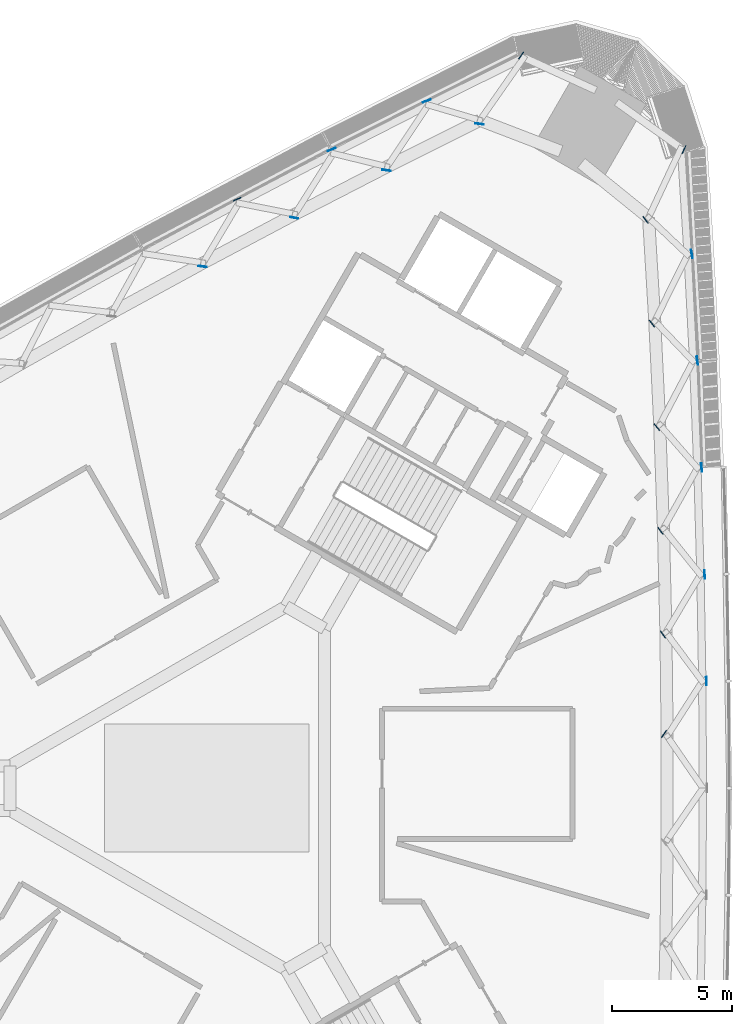
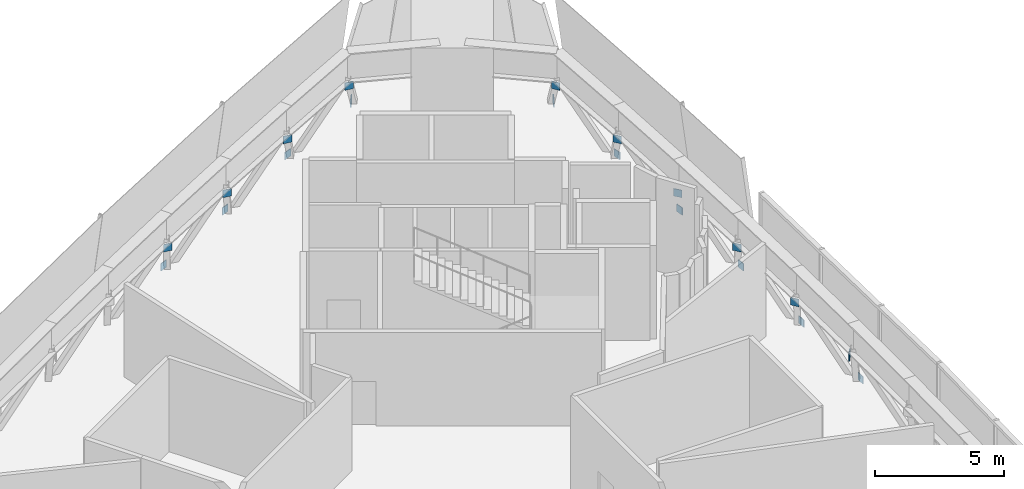
# One storey, part 9 of 17: 20 plates.
"""IFC4 building model written with IfcOpenShell, lengths in metres."""

from ifc_helpers import new_model, si_unit, direction, frame, origin, origin_2d, place, context, subcontext, project, spatial, rectangle, extrude, material, layer, layer_set, type_object, element, save


model = new_model("IFC4")

# Units and contexts
model_context = context("Model", 3, precision=1e-05, world=origin(), true_north=direction((0.0, 1.0)))
body_context = subcontext(model_context, "Body", "Model", "MODEL_VIEW")
ifc_project = project(units=[si_unit("LENGTHUNIT", "METRE"), si_unit("AREAUNIT", "SQUARE_METRE"), si_unit("VOLUMEUNIT", "CUBIC_METRE"), si_unit("PLANEANGLEUNIT", "RADIAN"), si_unit("MASSUNIT", "GRAM", prefix="KILO")], contexts=[model_context])

# Site, building, storey
site_placement = place(None, origin())
site = spatial("IfcSite", under=ifc_project, at=site_placement, CompositionType="ELEMENT")
building_placement = place(site_placement, origin())
building = spatial("IfcBuilding", under=site, at=building_placement, Name="Tamra Quay Hotel Tower", CompositionType="ELEMENT")
storey_placement = place(building_placement, frame((0.0, 0.0, 119.0)))
storey = spatial("IfcBuildingStorey", under=building, at=storey_placement, Name="L29", CompositionType="ELEMENT", Elevation=119.0)

# Plates
ifc_material = material(Name="Structural steel IS 2062 E350", Category="steel")
ifc_layer = layer(ifc_material, 0.030029296875)
ifc_layer_set = layer_set([ifc_layer], Name="BRACE END PLATE 30")
plate_type = type_object("IfcPlateType", Name="BRACE END PLATE 30", PredefinedType="SHEET", material=ifc_layer_set)
for number, where, z_axis, x_axis, name in (
    (1, (20.80908203125, 4.450927734375, -0.400146484375), (0.0, 0.0, 1.0), (0.999402103825, 0.034575061385, 0.0), "BEP-L29-008"),
    (2, (20.7333984375, 8.901123046875, -0.400146484375), (0.0, 0.0, 1.0), (0.997599108535, 0.069253293431, 0.0), "BEP-L29-009"),
    (3, (20.6064453125, 13.350341796875, -0.400146484375), (0.0, 0.0, 1.0), (0.994551046444, 0.104250736291, 0.0), "BEP-L29-010"),
    (4, (20.428955078125, 17.798095703125, -0.400146484375), (0.0, 0.0, 1.0), (0.990221132304, 0.139506663417, 0.0), "BEP-L29-011"),
    (5, (20.200439453125, 22.243408203125, -0.400146484375), (0.0, 0.0, 1.0), (0.984536524081, 0.17517943016, 0.0), "BEP-L29-012"),
    (6, (19.873291015625, 26.58935546875, -0.400146484375), (0.0, 0.0, 1.0), (-0.906149875709, 0.42295673863, 0.0), "BEP-L29-013"),
    (7, (13.090576171875, 30.50537109375, -0.400146484375), (0.0, 0.0, 1.0), (-0.819372221439, 0.573261862271, 0.0), "BEP-L29-014"),
    (8, (9.1630859375, 28.615966796875, -0.400146484375), (0.0, 0.0, 1.0), (-0.340555143301, 0.940224544655, 0.0), "BEP-L29-015"),
    (9, (5.19921875, 26.5908203125, -0.400146484375), (0.0, 0.0, 1.0), (-0.374282922379, 0.927314560446, 0.0), "BEP-L29-016"),
    (10, (1.258544921875, 24.52099609375, -0.400146484375), (0.0, 0.0, 1.0), (-0.406991737231, 0.913431839726, 0.0), "BEP-L29-017"),
    (11, (19.038330078125, 2.25390625, 2.64990234375), (0.0, 0.0, 1.0), (-0.818696294766, 0.574226764385, 0.0), "BEP-L29-046"),
    (12, (18.993896484375, 6.393310546875, 2.64990234375), (0.0, 0.0, 1.0), (0.810421156761, 0.585847717989, 0.0), "BEP-L29-047"),
    (13, (18.89501953125, 10.711181640625, 2.64990234375), (0.0, 0.0, 1.0), (0.790257694846, 0.612774653307, 0.0), "BEP-L29-048"),
    (14, (18.74462890625, 15.027587890625, 2.64990234375), (0.0, 0.0, 1.0), (0.768926643711, 0.639337013313, 0.0), "BEP-L29-049"),
    (15, (18.534912109375, 19.346435546875, 2.64990234375), (0.0, 0.0, 1.0), (0.780220842698, 0.625504145965, 0.0), "BEP-L29-050"),
    (16, (18.274169921875, 23.662353515625, 2.64990234375), (0.0, 0.0, 1.0), (0.790794277209, 0.612082029743, 0.0), "BEP-L29-051"),
    (17, (11.35498046875, 27.656982421875, 2.64990234375), (0.0, 0.0, 1.0), (0.134686636633, 0.990888242897, 0.0), "BEP-L29-052"),
    (18, (7.487060546875, 25.72509765625, 2.64990234375), (0.0, 0.0, 1.0), (0.151592059229, 0.988443143321, 0.0), "BEP-L29-053"),
    (19, (3.64208984375, 23.747314453125, 2.64990234375), (0.0, 0.0, 1.0), (0.169223933728, 0.985577627716, 0.0), "BEP-L29-054"),
    (20, (-0.17138671875, 21.718994140625, 2.64990234375), (0.0, 0.0, 1.0), (0.135551298357, 0.990770329347, 0.0), "BEP-L29-055"),
):
    element("IfcPlate", number, at=place(storey_placement, frame(where, z_axis=z_axis, x_axis=x_axis)), inside=storey, type_object=plate_type, Name=name, PredefinedType="SHEET", context=body_context, shape_type="SweptSolid", body=[
        extrude(rectangle(XDim=0.030029296875, YDim=0.35009765625, at=origin_2d()), origin(), (0.0, 0.0, 1.0), 0.35009765625),
    ])

save(model, "model.ifc")
